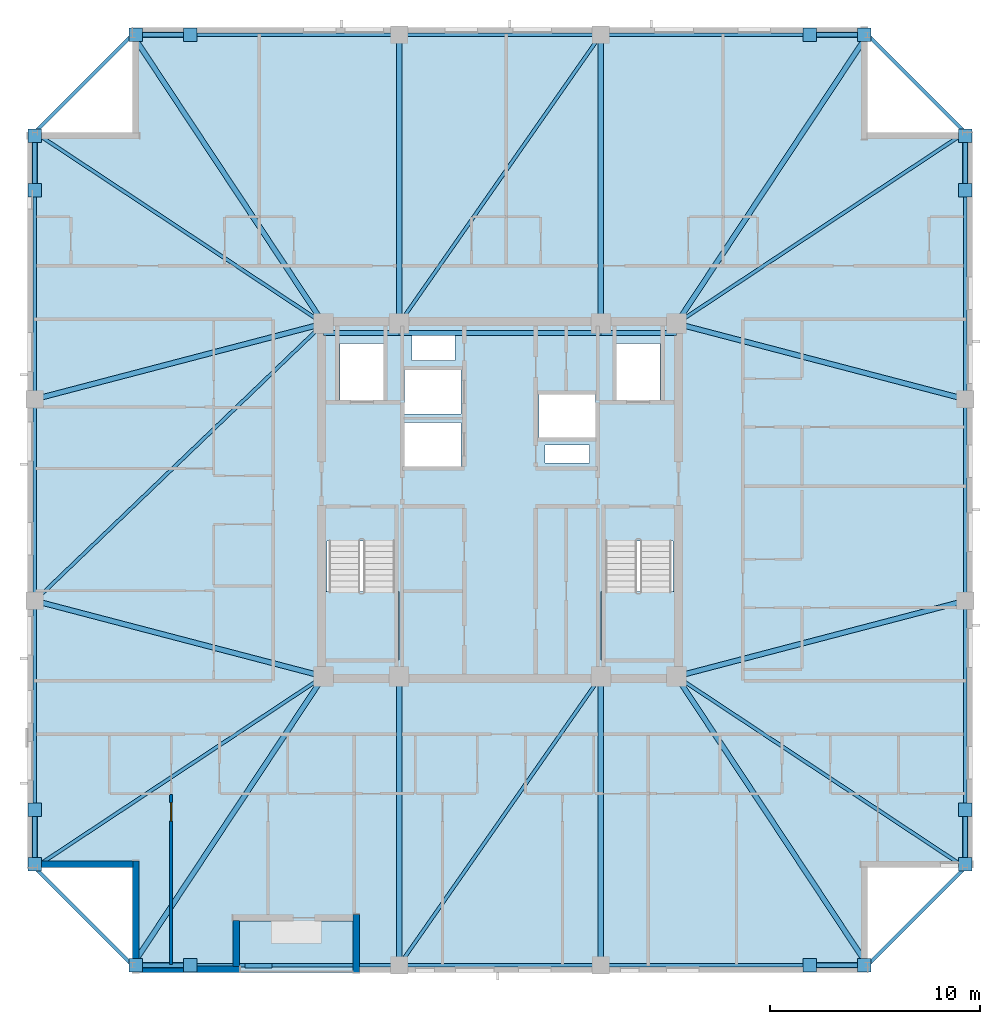
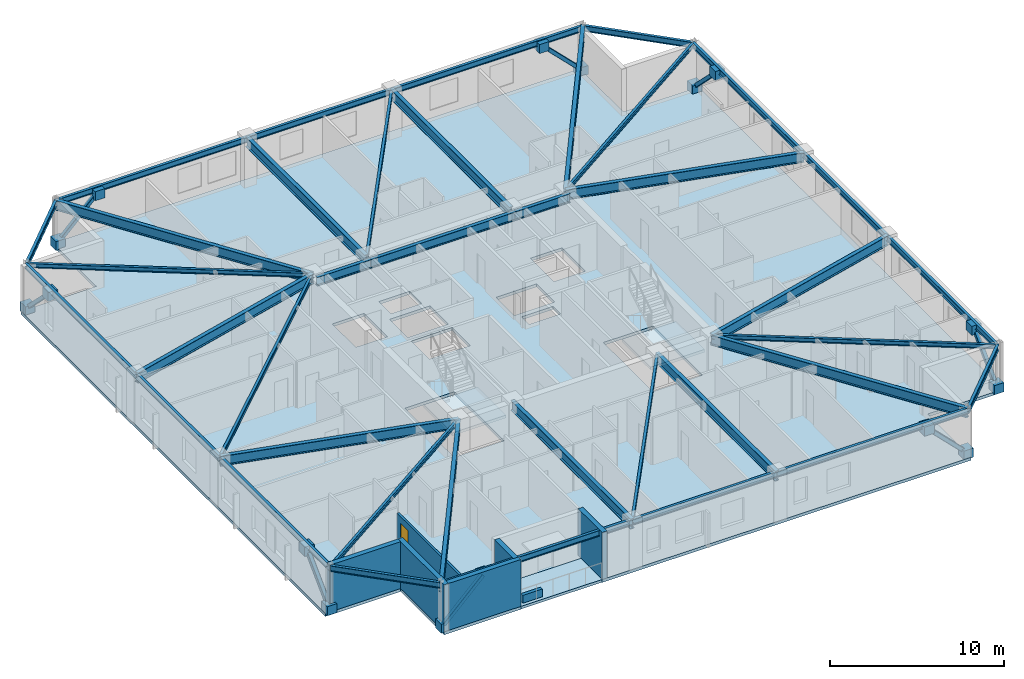
# One storey, part 6 of 17: 38 beams, 16 plates, 8 members, 7 walls, 4 slabs, 1 door, 1 opening, 2 elements without a shape of their own.
"""IFC4 building model written with IfcOpenShell, lengths in metres."""

from ifc_helpers import new_model, si_unit, direction, frame, frame_2d, origin, origin_2d, place, context, subcontext, project, spatial, polyline, rectangle, hollow_rectangle, i_section, outline, extrude, material, layer, layer_set, material_profile, profile_set, type_object, element, fill, aggregate, save


model = new_model("IFC4")

# Units and contexts
model_context = context("Model", 3, precision=1e-05, world=origin(), true_north=direction((0.0, 1.0)))
body_context = subcontext(model_context, "Body", "Model", "MODEL_VIEW")
ifc_project = project(units=[si_unit("LENGTHUNIT", "METRE"), si_unit("AREAUNIT", "SQUARE_METRE"), si_unit("VOLUMEUNIT", "CUBIC_METRE"), si_unit("PLANEANGLEUNIT", "RADIAN"), si_unit("MASSUNIT", "GRAM", prefix="KILO")], contexts=[model_context])

# Site, building, storey
site_placement = place(None, origin())
site = spatial("IfcSite", under=ifc_project, at=site_placement, CompositionType="ELEMENT")
building_placement = place(site_placement, origin())
building = spatial("IfcBuilding", under=site, at=building_placement, Name="Cairnveth Concourse Tower", CompositionType="ELEMENT")
storey_placement = place(building_placement, frame((0.0, 0.0, 258.5)))
storey = spatial("IfcBuildingStorey", under=building, at=storey_placement, Name="L71", CompositionType="ELEMENT", Elevation=258.5)

# Beams
ifc_material_1 = material(Name="Steel Grade 350", Category="steel")
ifc_material_profile_1 = material_profile(ifc_material_1, i_section(OverallWidth=0.22802734375, OverallDepth=0.60693359375, WebThickness=0.01123046875, FlangeThickness=0.017333984375, FilletRadius=0.013916015625, at=origin_2d()), Name="610UB113")
ifc_profile_set_1 = profile_set([ifc_material_profile_1], Name="Steel Grade 350")
beam_type_1 = type_object("IfcBeamType", Name="CORE TIE BEAM 610UB113", PredefinedType="T_BEAM", material=ifc_profile_set_1)
for number, where, z_axis, x_axis, name in (
    (1, (43.60009765625, 46.949951171875, 2.986572265625), (1.0, 0.0, 0.0), (0.0, 1.0, 0.0), "Beam CT-N1 L71"),
    (2, (56.800048828125, 46.949951171875, 2.986572265625), (1.0, 0.0, 0.0), (0.0, 1.0, 0.0), "Beam CT-N3 L71"),
):
    element("IfcBeam", number, at=place(storey_placement, frame(where, z_axis=z_axis, x_axis=x_axis)), inside=storey, type_object=beam_type_1, Name=name, PredefinedType="T_BEAM", context=body_context, shape_type="SweptSolid", body=[
        extrude(i_section(OverallWidth=0.22802734375, OverallDepth=0.60693359375, WebThickness=0.01123046875, FlangeThickness=0.017333984375, FilletRadius=0.013916015625, at=origin_2d()), origin(), (0.0, 0.0, 1.0), 3.599853515625),
    ])
beam_1_placement = place(storey_placement, frame((47.199951171875, 46.949951171875, 2.986572265625), z_axis=(1.0, 0.0, 0.0), x_axis=(0.0, 1.0, 0.0)))
element("IfcBeam", 3, at=beam_1_placement, inside=storey, type_object=beam_type_1, Name="Beam CT-N2 L71", PredefinedType="T_BEAM", context=body_context, shape_type="SweptSolid", body=[
    extrude(i_section(OverallWidth=0.22802734375, OverallDepth=0.60693359375, WebThickness=0.01123046875, FlangeThickness=0.017333984375, FilletRadius=0.013916015625, at=origin_2d()), origin(), (0.0, 0.0, 1.0), 9.60009765625),
])
ifc_material_profile_2 = material_profile(ifc_material_1, i_section(OverallWidth=0.166015625, OverallDepth=0.306884765625, WebThickness=0.006591796875, FlangeThickness=0.01171875, FilletRadius=0.010986328125, at=origin_2d()), Name="310UB46.2")
ifc_profile_set_2 = profile_set([ifc_material_profile_2], Name="Steel Grade 350")
beam_type_2 = type_object("IfcBeamType", Name="ZONE 3 FLOOR JOIST 310UB46.2", PredefinedType="JOIST", material=ifc_profile_set_2)
for number, where, z_axis, x_axis, name in (
    (4, (29.85009765625, 21.5, 3.136474609375), (0.833908956207, 0.551902031848, 0.0), (-0.551902031848, 0.833908956207, 0.0), "Beam FJ-CSW2 L71"),
    (5, (74.14990234375, 21.5, 3.136474609375), (-0.833908956207, 0.551902031848, 0.0), (-0.551902031848, -0.833908956207, 0.0), "Beam FJ-CSE2 L71"),
    (6, (74.14990234375, 56.5, 3.136474609375), (-0.833908956207, -0.551902031848, 0.0), (0.551902031848, -0.833908956207, 0.0), "Beam FJ-CNE2 L71"),
    (7, (29.85009765625, 56.5, 3.136474609375), (0.833908956207, -0.551902031848, 0.0), (0.551902031848, 0.833908956207, 0.0), "Beam FJ-CNW2 L71"),
):
    element("IfcBeam", number, at=place(storey_placement, frame(where, z_axis=z_axis, x_axis=x_axis)), inside=storey, type_object=beam_type_2, Name=name, PredefinedType="JOIST", context=body_context, shape_type="SweptSolid", body=[
        extrude(i_section(OverallWidth=0.166015625, OverallDepth=0.306884765625, WebThickness=0.006591796875, FlangeThickness=0.01171875, FilletRadius=0.010986328125, at=origin_2d()), origin(), (0.0, 0.0, 1.0), 16.488525390625),
    ])
for number, where, z_axis, x_axis, name in (
    (8, (47.199951171875, 16.85009765625, 3.136474609375), (0.572465304893, 0.819928944905, 0.0), (-0.819928944905, 0.572465304893, 0.0), "Beam FJ-S-M1 L71"),
    (9, (47.199951171875, 47.39990234375, 3.136474609375), (0.572465304893, 0.819928944905, 0.0), (-0.819928944905, 0.572465304893, 0.0), "Beam FJ-N-M1 L71"),
):
    element("IfcBeam", number, at=place(storey_placement, frame(where, z_axis=z_axis, x_axis=x_axis)), inside=storey, type_object=beam_type_2, Name=name, PredefinedType="JOIST", context=body_context, shape_type="SweptSolid", body=[
        extrude(i_section(OverallWidth=0.166015625, OverallDepth=0.306884765625, WebThickness=0.006591796875, FlangeThickness=0.01171875, FilletRadius=0.010986328125, at=origin_2d()), origin(), (0.0, 0.0, 1.0), 16.769775390625),
    ])
beam_2_placement = place(storey_placement, frame((29.85009765625, 34.199951171875, 3.136474609375), z_axis=(0.721388600838, 0.692530495055, 0.0), x_axis=(-0.692530495055, 0.721388600838, 0.0)))
element("IfcBeam", 10, at=beam_2_placement, inside=storey, type_object=beam_type_2, Name="Beam FJ-W-M1 L71", PredefinedType="JOIST", context=body_context, shape_type="SweptSolid", body=[
    extrude(i_section(OverallWidth=0.166015625, OverallDepth=0.306884765625, WebThickness=0.006591796875, FlangeThickness=0.01171875, FilletRadius=0.010986328125, at=origin_2d()), origin(), (0.0, 0.0, 1.0), 19.060546875),
])

# Members
ifc_material_2 = material(Name="Steel C350L0 (350 MPa)", Category="steel")
ifc_material_profile_3 = material_profile(ifc_material_2, hollow_rectangle(XDim=0.25, YDim=0.25, WallThickness=0.012451171875, InnerFilletRadius=0.012939453125, OuterFilletRadius=0.02490234375, at=origin_2d()), Name="250x250x12.5SHS")
ifc_profile_set_3 = profile_set([ifc_material_profile_3], Name="Steel C350L0 (350 MPa)")
member_type = type_object("IfcMemberType", Name="ZONE 3 PIER BRACE 250X250X12.5SHS", PredefinedType="BRACE", material=ifc_profile_set_3)
for number, where, z_axis, x_axis, name in (
    (11, (34.64990234375, 16.85009765625, 0.25), (0.708469186186, 0.0, 0.705741746126), (0.0, 1.0, 0.0), "Structural Brace PB-S1 L71"),
    (12, (69.35009765625, 16.85009765625, 0.25), (-0.708469186186, 0.0, 0.705741746126), (0.0, -1.0, 0.0), "Structural Brace PB-S2 L71"),
    (13, (34.64990234375, 61.14990234375, 0.25), (0.708469186186, 0.0, 0.705741746126), (0.0, 1.0, 0.0), "Structural Brace PB-N1 L71"),
    (14, (69.35009765625, 61.14990234375, 0.25), (-0.708469186186, 0.0, 0.705741746126), (0.0, -1.0, 0.0), "Structural Brace PB-N2 L71"),
    (15, (29.85009765625, 21.64990234375, 0.25), (0.0, 0.708469186186, 0.705741746126), (-1.0, 0.0, 0.0), "Structural Brace PB-W1 L71"),
    (16, (29.85009765625, 56.35009765625, 0.25), (0.0, -0.708469186186, 0.705741746126), (1.0, 0.0, 0.0), "Structural Brace PB-W2 L71"),
    (17, (74.14990234375, 21.64990234375, 0.25), (0.0, 0.708469186186, 0.705741746126), (-1.0, 0.0, 0.0), "Structural Brace PB-E1 L71"),
    (18, (74.14990234375, 56.35009765625, 0.25), (0.0, -0.708469186186, 0.705741746126), (1.0, 0.0, 0.0), "Structural Brace PB-E2 L71"),
):
    element("IfcMember", number, at=place(storey_placement, frame(where, z_axis=z_axis, x_axis=x_axis)), inside=storey, type_object=member_type, Name=name, PredefinedType="BRACE", context=body_context, shape_type="SweptSolid", body=[
        extrude(hollow_rectangle(XDim=0.25, YDim=0.25, WallThickness=0.012451171875, InnerFilletRadius=0.012939453125, OuterFilletRadius=0.02490234375, at=origin_2d()), origin(), (0.0, 0.0, 1.0), 3.669921875),
    ])

# Beams
ifc_material_profile_4 = material_profile(ifc_material_1, i_section(OverallWidth=0.25, OverallDepth=0.69189453125, WebThickness=0.010009765625, FlangeThickness=0.02490234375, at=origin_2d()), Name="700WB150")
ifc_profile_set_4 = profile_set([ifc_material_profile_4], Name="Steel Grade 350")
beam_type_3 = type_object("IfcBeamType", Name="ZONE 3 RADIAL GIRDER 700WB150", PredefinedType="BEAM", material=ifc_profile_set_4)
for number, where, z_axis, x_axis, name in (
    (19, (47.199951171875, 16.85009765625, 2.944091796875), (0.0, 1.0, 0.0), (-1.0, 0.0, 0.0), "Beam RG-S1 L71"),
    (20, (56.800048828125, 16.85009765625, 2.944091796875), (0.0, 1.0, 0.0), (-1.0, 0.0, 0.0), "Beam RG-S2 L71"),
    (21, (47.199951171875, 47.39990234375, 2.944091796875), (0.0, 1.0, 0.0), (-1.0, 0.0, 0.0), "Beam RG-N1 L71"),
    (22, (56.800048828125, 47.39990234375, 2.944091796875), (0.0, 1.0, 0.0), (-1.0, 0.0, 0.0), "Beam RG-N2 L71"),
):
    element("IfcBeam", number, at=place(storey_placement, frame(where, z_axis=z_axis, x_axis=x_axis)), inside=storey, type_object=beam_type_3, Name=name, PredefinedType="BEAM", context=body_context, shape_type="SweptSolid", body=[
        extrude(i_section(OverallWidth=0.25, OverallDepth=0.69189453125, WebThickness=0.010009765625, FlangeThickness=0.02490234375, at=origin_2d()), origin(), (0.0, 0.0, 1.0), 13.75),
    ])
for number, where, z_axis, x_axis, name in (
    (23, (29.85009765625, 34.199951171875, 2.944091796875), (0.967395273598, -0.253271365575, 0.0), (0.253271365575, 0.967395273598, 0.0), "Beam RG-W1 L71"),
    (24, (29.85009765625, 43.800048828125, 2.944091796875), (0.967395273598, 0.253271365575, 0.0), (-0.253271365575, 0.967395273598, 0.0), "Beam RG-W2 L71"),
    (25, (60.39990234375, 30.60009765625, 2.944091796875), (0.967395273598, 0.253271365575, 0.0), (-0.253271365575, 0.967395273598, 0.0), "Beam RG-E1 L71"),
    (26, (60.39990234375, 47.39990234375, 2.944091796875), (0.967395273598, -0.253271365575, 0.0), (0.253271365575, 0.967395273598, 0.0), "Beam RG-E2 L71"),
):
    element("IfcBeam", number, at=place(storey_placement, frame(where, z_axis=z_axis, x_axis=x_axis)), inside=storey, type_object=beam_type_3, Name=name, PredefinedType="BEAM", context=body_context, shape_type="SweptSolid", body=[
        extrude(i_section(OverallWidth=0.25, OverallDepth=0.69189453125, WebThickness=0.010009765625, FlangeThickness=0.02490234375, at=origin_2d()), origin(), (0.0, 0.0, 1.0), 14.21337890625),
    ])
for number, where, z_axis, x_axis, name in (
    (27, (34.5, 16.85009765625, 2.944091796875), (0.551902031848, 0.833908956207, 0.0), (-0.833908956207, 0.551902031848, 0.0), "Beam RG-CSW L71"),
    (28, (69.5, 16.85009765625, 2.944091796875), (-0.551902031848, 0.833908956207, 0.0), (-0.833908956207, -0.551902031848, 0.0), "Beam RG-CSE L71"),
    (29, (69.5, 61.14990234375, 2.944091796875), (-0.551902031848, -0.833908956207, 0.0), (0.833908956207, -0.551902031848, 0.0), "Beam RG-CNE L71"),
    (30, (34.5, 61.14990234375, 2.944091796875), (0.551902031848, -0.833908956207, 0.0), (0.833908956207, 0.551902031848, 0.0), "Beam RG-CNW L71"),
):
    element("IfcBeam", number, at=place(storey_placement, frame(where, z_axis=z_axis, x_axis=x_axis)), inside=storey, type_object=beam_type_3, Name=name, PredefinedType="BEAM", context=body_context, shape_type="SweptSolid", body=[
        extrude(i_section(OverallWidth=0.25, OverallDepth=0.69189453125, WebThickness=0.010009765625, FlangeThickness=0.02490234375, at=origin_2d()), origin(), (0.0, 0.0, 1.0), 16.488525390625),
    ])
ifc_material_profile_5 = material_profile(ifc_material_1, i_section(OverallWidth=0.177978515625, OverallDepth=0.406005859375, WebThickness=0.0078125, FlangeThickness=0.0126953125, FilletRadius=0.010986328125, at=origin_2d()), Name="410UB59.7")
ifc_profile_set_5 = profile_set([ifc_material_profile_5], Name="Steel Grade 350")
beam_type_4 = type_object("IfcBeamType", Name="ZONE 3 SPANDREL BEAM 410UB59.7", PredefinedType="SPANDREL", material=ifc_profile_set_5)
beam_3_placement = place(storey_placement, frame((34.5, 16.85009765625, 3.0869140625), z_axis=(1.0, 0.0, 0.0), x_axis=(0.0, 1.0, 0.0)))
element("IfcBeam", 31, at=beam_3_placement, inside=storey, type_object=beam_type_4, Name="Beam SP-S1 L71", PredefinedType="SPANDREL", context=body_context, shape_type="SweptSolid", body=[
    extrude(i_section(OverallWidth=0.177978515625, OverallDepth=0.406005859375, WebThickness=0.0078125, FlangeThickness=0.0126953125, FilletRadius=0.010986328125, at=origin_2d()), origin(), (0.0, 0.0, 1.0), 12.699951171875),
])
beam_4_placement = place(storey_placement, frame((47.199951171875, 16.85009765625, 3.0869140625), z_axis=(1.0, 0.0, 0.0), x_axis=(0.0, 1.0, 0.0)))
element("IfcBeam", 32, at=beam_4_placement, inside=storey, type_object=beam_type_4, Name="Beam SP-S2 L71", PredefinedType="SPANDREL", context=body_context, shape_type="SweptSolid", body=[
    extrude(i_section(OverallWidth=0.177978515625, OverallDepth=0.406005859375, WebThickness=0.0078125, FlangeThickness=0.0126953125, FilletRadius=0.010986328125, at=origin_2d()), origin(), (0.0, 0.0, 1.0), 9.60009765625),
])
for number, where, z_axis, x_axis, name in (
    (33, (56.800048828125, 16.85009765625, 3.0869140625), (1.0, 0.0, 0.0), (0.0, 1.0, 0.0), "Beam SP-S3 L71"),
    (34, (34.5, 61.14990234375, 3.0869140625), (1.0, 0.0, 0.0), (0.0, 1.0, 0.0), "Beam SP-N1 L71"),
):
    element("IfcBeam", number, at=place(storey_placement, frame(where, z_axis=z_axis, x_axis=x_axis)), inside=storey, type_object=beam_type_4, Name=name, PredefinedType="SPANDREL", context=body_context, shape_type="SweptSolid", body=[
        extrude(i_section(OverallWidth=0.177978515625, OverallDepth=0.406005859375, WebThickness=0.0078125, FlangeThickness=0.0126953125, FilletRadius=0.010986328125, at=origin_2d()), origin(), (0.0, 0.0, 1.0), 12.699951171875),
    ])
beam_5_placement = place(storey_placement, frame((47.199951171875, 61.14990234375, 3.0869140625), z_axis=(1.0, 0.0, 0.0), x_axis=(0.0, 1.0, 0.0)))
element("IfcBeam", 35, at=beam_5_placement, inside=storey, type_object=beam_type_4, Name="Beam SP-N2 L71", PredefinedType="SPANDREL", context=body_context, shape_type="SweptSolid", body=[
    extrude(i_section(OverallWidth=0.177978515625, OverallDepth=0.406005859375, WebThickness=0.0078125, FlangeThickness=0.0126953125, FilletRadius=0.010986328125, at=origin_2d()), origin(), (0.0, 0.0, 1.0), 9.60009765625),
])
for number, where, z_axis, x_axis, name in (
    (36, (56.800048828125, 61.14990234375, 3.0869140625), (1.0, 0.0, 0.0), (0.0, 1.0, 0.0), "Beam SP-N3 L71"),
    (37, (29.85009765625, 21.5, 3.0869140625), (0.0, 1.0, 0.0), (-1.0, 0.0, 0.0), "Beam SP-W1 L71"),
):
    element("IfcBeam", number, at=place(storey_placement, frame(where, z_axis=z_axis, x_axis=x_axis)), inside=storey, type_object=beam_type_4, Name=name, PredefinedType="SPANDREL", context=body_context, shape_type="SweptSolid", body=[
        extrude(i_section(OverallWidth=0.177978515625, OverallDepth=0.406005859375, WebThickness=0.0078125, FlangeThickness=0.0126953125, FilletRadius=0.010986328125, at=origin_2d()), origin(), (0.0, 0.0, 1.0), 12.699951171875),
    ])
beam_6_placement = place(storey_placement, frame((29.85009765625, 34.199951171875, 3.0869140625), z_axis=(0.0, 1.0, 0.0), x_axis=(-1.0, 0.0, 0.0)))
element("IfcBeam", 38, at=beam_6_placement, inside=storey, type_object=beam_type_4, Name="Beam SP-W2 L71", PredefinedType="SPANDREL", context=body_context, shape_type="SweptSolid", body=[
    extrude(i_section(OverallWidth=0.177978515625, OverallDepth=0.406005859375, WebThickness=0.0078125, FlangeThickness=0.0126953125, FilletRadius=0.010986328125, at=origin_2d()), origin(), (0.0, 0.0, 1.0), 9.60009765625),
])
for number, where, z_axis, x_axis, name in (
    (39, (29.85009765625, 43.800048828125, 3.0869140625), (0.0, 1.0, 0.0), (-1.0, 0.0, 0.0), "Beam SP-W3 L71"),
    (40, (74.14990234375, 21.5, 3.0869140625), (0.0, 1.0, 0.0), (-1.0, 0.0, 0.0), "Beam SP-E1 L71"),
):
    element("IfcBeam", number, at=place(storey_placement, frame(where, z_axis=z_axis, x_axis=x_axis)), inside=storey, type_object=beam_type_4, Name=name, PredefinedType="SPANDREL", context=body_context, shape_type="SweptSolid", body=[
        extrude(i_section(OverallWidth=0.177978515625, OverallDepth=0.406005859375, WebThickness=0.0078125, FlangeThickness=0.0126953125, FilletRadius=0.010986328125, at=origin_2d()), origin(), (0.0, 0.0, 1.0), 12.699951171875),
    ])
beam_7_placement = place(storey_placement, frame((74.14990234375, 34.199951171875, 3.0869140625), z_axis=(0.0, 1.0, 0.0), x_axis=(-1.0, 0.0, 0.0)))
element("IfcBeam", 41, at=beam_7_placement, inside=storey, type_object=beam_type_4, Name="Beam SP-E2 L71", PredefinedType="SPANDREL", context=body_context, shape_type="SweptSolid", body=[
    extrude(i_section(OverallWidth=0.177978515625, OverallDepth=0.406005859375, WebThickness=0.0078125, FlangeThickness=0.0126953125, FilletRadius=0.010986328125, at=origin_2d()), origin(), (0.0, 0.0, 1.0), 9.60009765625),
])
beam_8_placement = place(storey_placement, frame((74.14990234375, 43.800048828125, 3.0869140625), z_axis=(0.0, 1.0, 0.0), x_axis=(-1.0, 0.0, 0.0)))
element("IfcBeam", 42, at=beam_8_placement, inside=storey, type_object=beam_type_4, Name="Beam SP-E3 L71", PredefinedType="SPANDREL", context=body_context, shape_type="SweptSolid", body=[
    extrude(i_section(OverallWidth=0.177978515625, OverallDepth=0.406005859375, WebThickness=0.0078125, FlangeThickness=0.0126953125, FilletRadius=0.010986328125, at=origin_2d()), origin(), (0.0, 0.0, 1.0), 12.699951171875),
])
for number, where, z_axis, x_axis, name in (
    (43, (29.85009765625, 21.5, 3.0869140625), (0.707106781187, -0.707106781187, 0.0), (0.707106781187, 0.707106781187, 0.0), "Beam SP-SW L71"),
    (44, (69.5, 16.85009765625, 3.0869140625), (0.707106781187, 0.707106781187, 0.0), (-0.707106781187, 0.707106781187, 0.0), "Beam SP-SE L71"),
    (45, (69.5, 61.14990234375, 3.0869140625), (0.707106781187, -0.707106781187, 0.0), (0.707106781187, 0.707106781187, 0.0), "Beam SP-NE L71"),
    (46, (29.85009765625, 56.5, 3.0869140625), (0.707106781187, 0.707106781187, 0.0), (-0.707106781187, 0.707106781187, 0.0), "Beam SP-NW L71"),
):
    element("IfcBeam", number, at=place(storey_placement, frame(where, z_axis=z_axis, x_axis=x_axis)), inside=storey, type_object=beam_type_4, Name=name, PredefinedType="SPANDREL", context=body_context, shape_type="SweptSolid", body=[
        extrude(i_section(OverallWidth=0.177978515625, OverallDepth=0.406005859375, WebThickness=0.0078125, FlangeThickness=0.0126953125, FilletRadius=0.010986328125, at=origin_2d()), origin(), (0.0, 0.0, 1.0), 6.575927734375),
    ])

# Plates
ifc_layer_1 = layer(ifc_material_1, 0.031982421875)
ifc_layer_set_1 = layer_set([ifc_layer_1], Name="Steel Grade 350")
plate_type = type_object("IfcPlateType", Name="PERIMETER BRACE GUSSET PLATE 32", PredefinedType="USERDEFINED", material=ifc_layer_set_1)
for number, where, z_axis, x_axis, name in (
    (47, (34.64990234375, 16.85009765625, -0.06982421875), (0.0, 0.0, 1.0), (1.0, 0.0, 0.0), "Structural Node Plate 1221 L71"),
    (48, (37.25, 16.85009765625, 2.52001953125), (0.0, 0.0, 1.0), (1.0, 0.0, 0.0), "Structural Node Plate 1222 L71"),
    (49, (69.35009765625, 16.85009765625, -0.06982421875), (0.0, 0.0, 1.0), (1.0, 0.0, 0.0), "Structural Node Plate 1223 L71"),
    (50, (66.75, 16.85009765625, 2.52001953125), (0.0, 0.0, 1.0), (1.0, 0.0, 0.0), "Structural Node Plate 1224 L71"),
    (51, (34.64990234375, 61.14990234375, -0.06982421875), (0.0, 0.0, 1.0), (1.0, 0.0, 0.0), "Structural Node Plate 1225 L71"),
    (52, (37.25, 61.14990234375, 2.52001953125), (0.0, 0.0, 1.0), (1.0, 0.0, 0.0), "Structural Node Plate 1226 L71"),
    (53, (69.35009765625, 61.14990234375, -0.06982421875), (0.0, 0.0, 1.0), (1.0, 0.0, 0.0), "Structural Node Plate 1227 L71"),
    (54, (66.75, 61.14990234375, 2.52001953125), (0.0, 0.0, 1.0), (1.0, 0.0, 0.0), "Structural Node Plate 1228 L71"),
    (55, (29.85009765625, 21.64990234375, -0.06982421875), (0.0, 0.0, 1.0), (1.0, 0.0, 0.0), "Structural Node Plate 1229 L71"),
    (56, (29.85009765625, 24.25, 2.52001953125), (0.0, 0.0, 1.0), (1.0, 0.0, 0.0), "Structural Node Plate 1230 L71"),
    (57, (29.85009765625, 56.35009765625, -0.06982421875), (0.0, 0.0, 1.0), (1.0, 0.0, 0.0), "Structural Node Plate 1231 L71"),
    (58, (29.85009765625, 53.75, 2.52001953125), (0.0, 0.0, 1.0), (1.0, 0.0, 0.0), "Structural Node Plate 1232 L71"),
    (59, (74.14990234375, 21.64990234375, -0.06982421875), (0.0, 0.0, 1.0), (1.0, 0.0, 0.0), "Structural Node Plate 1233 L71"),
    (60, (74.14990234375, 24.25, 2.52001953125), (0.0, 0.0, 1.0), (1.0, 0.0, 0.0), "Structural Node Plate 1234 L71"),
    (61, (74.14990234375, 56.35009765625, -0.06982421875), (0.0, 0.0, 1.0), (1.0, 0.0, 0.0), "Structural Node Plate 1235 L71"),
    (62, (74.14990234375, 53.75, 2.52001953125), (0.0, 0.0, 1.0), (1.0, 0.0, 0.0), "Structural Node Plate 1236 L71"),
):
    element("IfcPlate", number, at=place(storey_placement, frame(where, z_axis=z_axis, x_axis=x_axis)), inside=storey, type_object=plate_type, Name=name, ObjectType="GUSSET PLATE", PredefinedType="USERDEFINED", context=body_context, shape_type="SweptSolid", body=[
        extrude(rectangle(XDim=0.639892578125, YDim=0.639892578125, at=origin_2d()), origin(), (0.0, 0.0, 1.0), 0.639892578125),
    ])

# Slab
ifc_material_3 = material(Name="Concrete N50 (50 MPa)", Category="concrete")
ifc_layer_2 = layer(ifc_material_3, 0.18994140625)
ifc_layer_set_2 = layer_set([ifc_layer_2], Name="Concrete N50 (50 MPa)")
slab_type_1 = type_object("IfcSlabType", Name="SPIRAL OUTDOOR TERRACE SLAB 190", PredefinedType="FLOOR", material=ifc_layer_set_2)
slab_1_placement = place(storey_placement, frame((0.0, 0.0, -0.18994140625)))
element("IfcSlab", 63, at=slab_1_placement, inside=storey, type_object=slab_type_1, Name="Spiral Terrace Slab L71", PredefinedType="FLOOR", context=body_context, shape_type="SweptSolid", body=[
    extrude(outline(polyline([(39.60009765625, 16.5), (45.0, 16.5), (45.0, 18.949951171875), (39.60009765625, 18.949951171875), (39.60009765625, 16.5)])), origin(), (0.0, 0.0, 1.0), 0.18994140625),
])

# Stair, slab
ifc_material_4 = material(Name="Precast concrete N50 (50 MPa)", Category="concrete")
stair_type = type_object("IfcStairType", Name="CORE DOG-LEG FIRE STAIR 1500", PredefinedType="HALF_TURN_STAIR", material=ifc_material_4)
stair_1_placement = place(storey_placement, origin())
stair_1 = element("IfcStair", 64, at=stair_1_placement, inside=storey, type_object=stair_type, Name="L71 Fire-Isolated Stair ST-1", PredefinedType="HALF_TURN_STAIR")
ifc_layer_3 = layer(ifc_material_3, 0.199951171875)
ifc_layer_set_3 = layer_set([ifc_layer_3], Name="Concrete N50 (50 MPa)")
slab_type_2 = type_object("IfcSlabType", Name="STAIR HALF LANDING SLAB 200", PredefinedType="LANDING", material=ifc_layer_set_3)
slab_2_placement = place(storey_placement, frame((0.0, 0.0, 1.550048828125)))
slab_2 = element("IfcSlab", 65, at=slab_2_placement, type_object=slab_type_2, Name="ST-1 landing 1", PredefinedType="LANDING", context=body_context, shape_type="SweptSolid", body=[
    extrude(outline(polyline([(43.6201171875, 34.639892578125), (43.6201171875, 31.3701171875), (47.199951171875, 31.3701171875), (47.199951171875, 34.639892578125), (43.6201171875, 34.639892578125)])), origin(), (0.0, 0.0, 1.0), 0.199951171875),
])
aggregate(stair_1, [slab_2])

stair_2_placement = place(storey_placement, origin())
stair_2 = element("IfcStair", 66, at=stair_2_placement, inside=storey, type_object=stair_type, Name="L71 Fire-Isolated Stair ST-2", PredefinedType="HALF_TURN_STAIR")
slab_3_placement = place(storey_placement, frame((0.0, 0.0, 1.550048828125)))
slab_3 = element("IfcSlab", 67, at=slab_3_placement, type_object=slab_type_2, Name="ST-2 landing 1", PredefinedType="LANDING", context=body_context, shape_type="SweptSolid", body=[
    extrude(outline(polyline([(56.800048828125, 34.639892578125), (56.800048828125, 31.3701171875), (60.3798828125, 31.3701171875), (60.3798828125, 34.639892578125), (56.800048828125, 34.639892578125)])), origin(), (0.0, 0.0, 1.0), 0.199951171875),
])
aggregate(stair_2, [slab_3])

# Slab
ifc_layer_4 = layer(ifc_material_3, 0.2099609375)
ifc_layer_set_4 = layer_set([ifc_layer_4], Name="Concrete N50 (50 MPa)")
slab_type_3 = type_object("IfcSlabType", Name="UPPER TOWER COMPOSITE SLAB 210", PredefinedType="FLOOR", material=ifc_layer_set_4)
slab_4_placement = place(storey_placement, frame((0.0, 0.0, -0.2099609375)))
element("IfcSlab", 68, at=slab_4_placement, inside=storey, type_object=slab_type_3, Name="Tower Floor Slab L71", PredefinedType="FLOOR", context=body_context, shape_type="SweptSolid", body=[
    extrude(outline(polyline([(39.60009765625, 16.5), (39.60009765625, 18.949951171875), (45.0, 18.949951171875), (45.0, 16.5), (69.5, 16.5), (69.5, 21.5), (74.5, 21.5), (74.5, 56.5), (69.5, 56.5), (69.5, 61.5), (34.5, 61.5), (34.5, 56.5), (29.5, 56.5), (29.5, 21.5), (34.5, 21.5), (34.5, 16.5), (39.60009765625, 16.5)]), holes=[polyline([(43.760009765625, 31.360107421875), (47.06005859375, 31.360107421875), (47.06005859375, 37.0400390625), (43.760009765625, 37.0400390625), (43.760009765625, 31.360107421875)]), polyline([(56.93994140625, 31.360107421875), (60.239990234375, 31.360107421875), (60.239990234375, 37.0400390625), (56.93994140625, 37.0400390625), (56.93994140625, 31.360107421875)]), polyline([(44.3701171875, 43.75), (46.469970703125, 43.75), (46.469970703125, 46.449951171875), (44.3701171875, 46.449951171875), (44.3701171875, 43.75)]), polyline([(57.530029296875, 43.75), (59.6298828125, 43.75), (59.6298828125, 46.449951171875), (57.530029296875, 46.449951171875), (57.530029296875, 43.75)]), polyline([(47.449951171875, 40.60009765625), (50.14990234375, 40.60009765625), (50.14990234375, 42.699951171875), (47.449951171875, 42.699951171875), (47.449951171875, 40.60009765625)]), polyline([(47.449951171875, 43.10009765625), (50.14990234375, 43.10009765625), (50.14990234375, 45.199951171875), (47.449951171875, 45.199951171875), (47.449951171875, 43.10009765625)]), polyline([(53.85009765625, 41.949951171875), (56.550048828125, 41.949951171875), (56.550048828125, 44.050048828125), (53.85009765625, 44.050048828125), (53.85009765625, 41.949951171875)]), polyline([(47.800048828125, 45.64990234375), (49.85009765625, 45.64990234375), (49.85009765625, 47.050048828125), (47.800048828125, 47.050048828125), (47.800048828125, 45.64990234375)]), polyline([(54.14990234375, 40.75), (56.25, 40.75), (56.25, 41.6201171875), (54.14990234375, 41.6201171875), (54.14990234375, 40.75)])]), origin(), (0.0, 0.0, 1.0), 0.2099609375),
])

# Wall, opening, door
ifc_material_5 = material(Name="Gypsum Plasterboard Partition", Category="gypsum")
ifc_layer_5 = layer(ifc_material_5, 0.139892578125)
ifc_layer_set_5 = layer_set([ifc_layer_5], Name="Gypsum Plasterboard Partition")
wall_type_1 = type_object("IfcWallType", Name="GYPSUM STUD PARTITION 140", PredefinedType="PARTITIONING", material=ifc_layer_set_5)
wall_1_placement = place(storey_placement, frame((36.34130859375, 16.8798828125, 0.0), z_axis=(0.0, 0.0, 1.0), x_axis=(0.0, 1.0, 0.0)))
wall_1 = element("IfcWall", 69, at=wall_1_placement, inside=storey, type_object=wall_type_1, Name="Interior Wall IW-L71-050", PredefinedType="PARTITIONING", context=body_context, shape_type="SweptSolid", body=[
    extrude(rectangle(XDim=8.087646484375, YDim=0.139892578125, at=frame_2d((4.0439453125, 0.0))), origin(), (0.0, 0.0, 1.0), 2.572998046875),
])
opening_placement = place(wall_1_placement, frame((6.827392578125, 0.0, 0.0)))
opening = element("IfcOpeningElement", 70, at=opening_placement, cuts=wall_1, Name="Opening ID18", PredefinedType="OPENING", context=body_context, shape_type="SweptSolid", body=[
    extrude(rectangle(XDim=0.8798828125, YDim=2.10009765625, at=frame_2d((0.43994140625, 1.050048828125))), frame((0.0, 0.079833984375, 0.0), z_axis=(0.0, -1.0, 0.0), x_axis=(1.0, 0.0, 0.0)), (0.0, 0.0, 1.0), 0.159912109375),
])
ifc_material_6 = material(Name="Solid Core Hardwood Timber Leaf", Category="wood")
door_type = type_object("IfcDoorType", Name="INTERIOR SINGLE DOOR 880X2100", OperationType="NOTDEFINED", PredefinedType="DOOR", material=ifc_material_6)
door_placement = place(opening_placement, origin())
door = element("IfcDoor", 71, at=door_placement, inside=storey, type_object=door_type, Name="L71S1 Master Bedroom Door", OperationType="SINGLE_SWING_LEFT", OverallHeight=2.10009765625, OverallWidth=0.8798828125, PredefinedType="DOOR", context=body_context, shape_type="SweptSolid", body=[
    extrude(rectangle(XDim=0.8798828125, YDim=2.10009765625, at=frame_2d((0.43994140625, 1.050048828125))), frame((0.0, 0.02490234375, 0.0), z_axis=(0.0, -1.0, 0.0), x_axis=(1.0, 0.0, 0.0)), (0.0, 0.0, 1.0), 0.050048828125),
])
fill(opening, door)

# Walls
ifc_material_7 = material(Name="Dressed Melbourne Bluestone Cladding", Category="masonry")
ifc_layer_6 = layer(ifc_material_7, 0.219970703125)
ifc_layer_set_6 = layer_set([ifc_layer_6], Name="Dressed Melbourne Bluestone Cladding")
wall_type_2 = type_object("IfcWallType", Name="TERRACE PLANTER CURB WALL 220", PredefinedType="PARAPET", material=ifc_layer_set_6)
wall_2_placement = place(storey_placement, frame((39.85009765625, 16.820068359375, 0.0), z_axis=(0.0, 0.0, 1.0), x_axis=(1.0, 0.0, 0.0)))
element("IfcWall", 72, at=wall_2_placement, inside=storey, type_object=wall_type_2, Name="Exterior Wall PLNT-L71-TERR", PredefinedType="PARAPET", context=body_context, shape_type="SweptSolid", body=[
    extrude(rectangle(XDim=1.2998046875, YDim=0.219970703125, at=frame_2d((0.64990234375, 0.0))), origin(), (0.0, 0.0, 1.0), 0.550048828125),
])
ifc_material_8 = material(Name="Melbourne Buff Fired Clay Brick Masonry", Category="masonry")
ifc_layer_7 = layer(ifc_material_8, 0.320068359375)
ifc_layer_set_7 = layer_set([ifc_layer_7], Name="Melbourne Buff Fired Clay Brick Masonry")
wall_type_3 = type_object("IfcWallType", Name="ZONE 3 BRICK PIER SPANDREL WALL 320", PredefinedType="SOLIDWALL", material=ifc_layer_set_7)
wall_3_placement = place(storey_placement, frame((39.60009765625, 16.659912109375, 0.0), z_axis=(0.0, 0.0, 1.0), x_axis=(-1.0, 0.0, 0.0)))
element("IfcWall", 73, at=wall_3_placement, inside=storey, type_object=wall_type_3, Name="Exterior Wall EW-L71-S00", PredefinedType="SOLIDWALL", context=body_context, shape_type="SweptSolid", body=[
    extrude(rectangle(XDim=4.802001953125, YDim=0.320068359375, at=frame_2d((2.40087890625, 0.0))), origin(), (0.0, 0.0, 1.0), 3.2900390625),
])
wall_4_placement = place(storey_placement, frame((34.659912109375, 16.5, 0.0), z_axis=(0.0, 0.0, 1.0), x_axis=(0.0, 1.0, 0.0)))
element("IfcWall", 74, at=wall_4_placement, inside=storey, type_object=wall_type_3, Name="Exterior Wall EW-L71-S01", PredefinedType="SOLIDWALL", context=body_context, shape_type="SweptSolid", body=[
    extrude(rectangle(XDim=5.320068359375, YDim=0.320068359375, at=frame_2d((2.66015625, 0.0))), origin(), (0.0, 0.0, 1.0), 3.2900390625),
])
wall_5_placement = place(storey_placement, frame((34.52197265625, 21.659912109375, 0.0), z_axis=(0.0, 0.0, 1.0), x_axis=(-1.0, 0.0, 0.0)))
element("IfcWall", 75, at=wall_5_placement, inside=storey, type_object=wall_type_3, Name="Exterior Wall EW-L71-S02", PredefinedType="SOLIDWALL", context=body_context, shape_type="SweptSolid", body=[
    extrude(rectangle(XDim=4.723876953125, YDim=0.320068359375, at=frame_2d((2.36181640625, 0.0))), origin(), (0.0, 0.0, 1.0), 3.2900390625),
])
wall_6_placement = place(storey_placement, frame((45.159912109375, 16.5, 0.0), z_axis=(0.0, 0.0, 1.0), x_axis=(0.0, 1.0, 0.0)))
element("IfcWall", 76, at=wall_6_placement, inside=storey, type_object=wall_type_3, Name="Exterior Wall EW-L71-S13", PredefinedType="SOLIDWALL", context=body_context, shape_type="SweptSolid", body=[
    extrude(rectangle(XDim=2.77001953125, YDim=0.320068359375, at=frame_2d((1.385009765625, 0.0))), origin(), (0.0, 0.0, 1.0), 3.2900390625),
])
wall_7_placement = place(storey_placement, frame((39.43994140625, 18.971923828125, 0.0), z_axis=(0.0, 0.0, 1.0), x_axis=(0.0, -1.0, 0.0)))
element("IfcWall", 77, at=wall_7_placement, inside=storey, type_object=wall_type_3, Name="Exterior Wall EW-L71-S15", PredefinedType="SOLIDWALL", context=body_context, shape_type="SweptSolid", body=[
    extrude(rectangle(XDim=2.173828125, YDim=0.320068359375, at=frame_2d((1.0869140625, 0.0))), origin(), (0.0, 0.0, 1.0), 3.2900390625),
])

save(model, "model.ifc")
